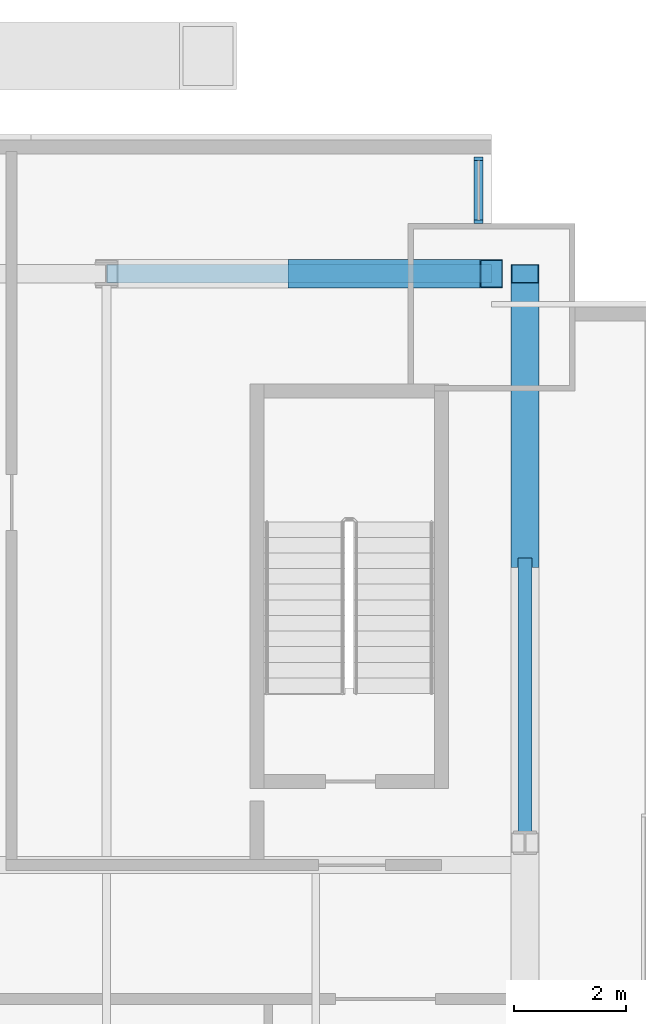
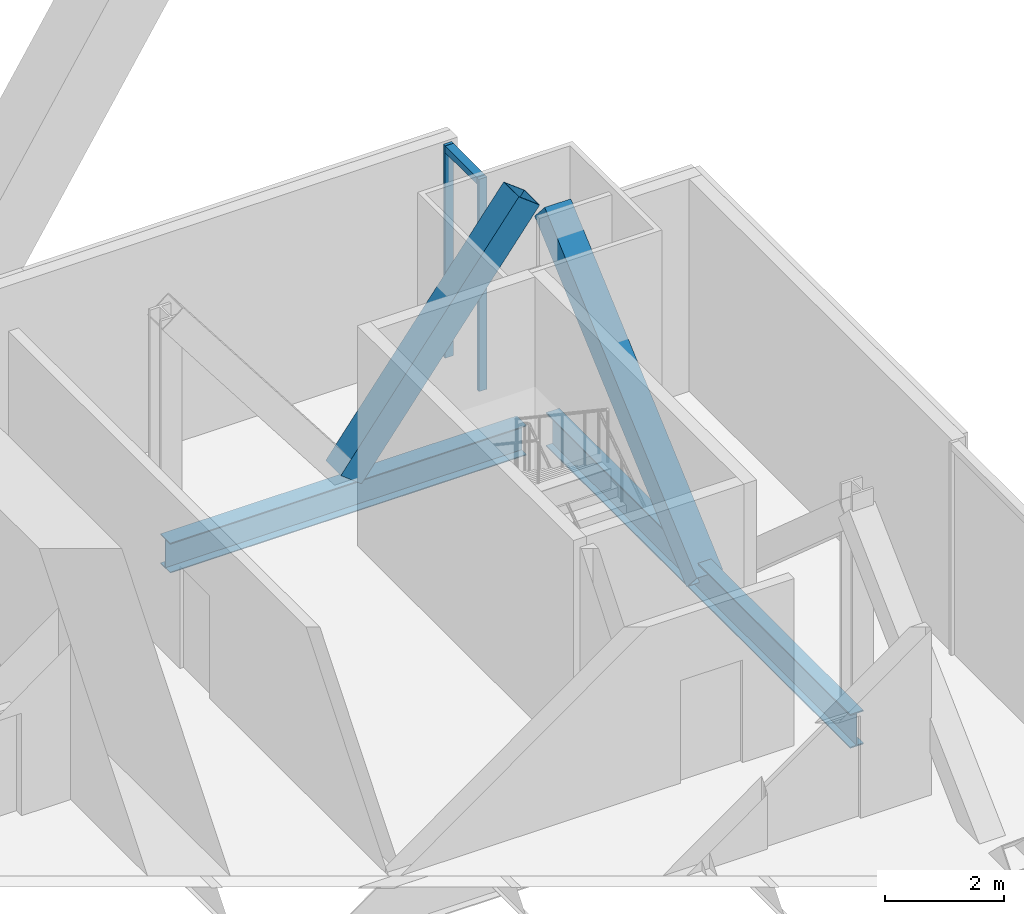
# One storey, part 14 of 22: 5 members, 2 beams, 1 element without a shape of its own.
"""IFC4 building model written with IfcOpenShell, lengths in metres."""

from ifc_helpers import new_model, si_unit, direction, frame, origin, origin_2d, place, context, subcontext, project, spatial, rectangle, hollow_rectangle, i_section, extrude, material, material_profile, profile_set, type_object, element, aggregate, save


model = new_model("IFC4")

# Units and contexts
model_context = context("Model", 3, precision=1e-05, world=origin(), true_north=direction((0.0, 1.0)))
body_context = subcontext(model_context, "Body", "Model", "MODEL_VIEW")
ifc_project = project(units=[si_unit("LENGTHUNIT", "METRE"), si_unit("AREAUNIT", "SQUARE_METRE"), si_unit("VOLUMEUNIT", "CUBIC_METRE"), si_unit("PLANEANGLEUNIT", "RADIAN"), si_unit("MASSUNIT", "GRAM", prefix="KILO")], contexts=[model_context])

# Site, building, storey
site_placement = place(None, origin())
site = spatial("IfcSite", under=ifc_project, at=site_placement, CompositionType="ELEMENT")
building_placement = place(site_placement, origin())
building = spatial("IfcBuilding", under=site, at=building_placement, Name="Bicima Exchange Tower", CompositionType="ELEMENT")
storey_placement = place(building_placement, frame((0.0, 0.0, 71.0)))
storey = spatial("IfcBuildingStorey", under=building, at=storey_placement, Name="L14", CompositionType="ELEMENT", Elevation=71.0)

# Beam
ifc_material_1 = material(Name="Steel ASTM A992 Gr 50", Category="steel")
ifc_material_profile_1 = material_profile(ifc_material_1, i_section(OverallWidth=0.256591796875, OverallDepth=0.693359375, WebThickness=0.014404296875, FlangeThickness=0.023681640625, at=origin_2d()))
ifc_profile_set_1 = profile_set([ifc_material_profile_1], Name="Steel ASTM A992 Gr 50")
beam_type_1 = type_object("IfcBeamType", Name="End girder W27x114", PredefinedType="BEAM", material=ifc_profile_set_1)
beam_1_placement = place(storey_placement, frame((33.60009765625, -2.39990234375, -0.49658203125), z_axis=(0.0, -1.0, 0.0), x_axis=(1.0, 0.0, 0.0)))
element("IfcBeam", 1, at=beam_1_placement, inside=storey, type_object=beam_type_1, Name="End girder", PredefinedType="BEAM", context=body_context, shape_type="SweptSolid", body=[
    extrude(i_section(OverallWidth=0.256591796875, OverallDepth=0.693359375, WebThickness=0.014404296875, FlangeThickness=0.023681640625, at=origin_2d()), origin(), (0.0, 0.0, 1.0), 10.2001953125),
])

# Curtain wall, members
ifc_material_2 = material(Name="Anodised bronze aluminium", Category="aluminium")
curtain_wall_type = type_object("IfcCurtainWallType", Name="Front glass wall", PredefinedType="NOTDEFINED", material=ifc_material_2)
curtain_wall_placement = place(storey_placement, origin())
curtain_wall = element("IfcCurtainWall", 2, at=curtain_wall_placement, inside=storey, type_object=curtain_wall_type, Name="Front glass wall L14 run 20", PredefinedType="NOTDEFINED")
ifc_material_profile_2 = material_profile(ifc_material_2, rectangle(XDim=0.159912109375, YDim=0.06005859375, at=origin_2d()))
ifc_profile_set_2 = profile_set([ifc_material_profile_2], Name="Anodised bronze aluminium")
member_type_1 = type_object("IfcMemberType", Name="Front glass wall mullion 60 x 160", PredefinedType="MULLION", material=ifc_profile_set_2)
member_1_placement = place(storey_placement, frame((32.77001953125, -1.469970703125, 0.0), z_axis=(0.0, 0.0, 1.0), x_axis=(-1.0, 0.0, 0.0)))
member_1 = element("IfcMember", 3, at=member_1_placement, type_object=member_type_1, Name="Front glass wall mullion 1", PredefinedType="MULLION", context=body_context, shape_type="SweptSolid", body=[
    extrude(rectangle(XDim=0.159912109375, YDim=0.06005859375, at=origin_2d()), origin(), (0.0, 0.0, 1.0), 4.35009765625),
])
member_2_placement = place(storey_placement, frame((32.77001953125, -0.340087890625, 0.0), z_axis=(0.0, 0.0, 1.0), x_axis=(-1.0, 0.0, 0.0)))
member_2 = element("IfcMember", 4, at=member_2_placement, type_object=member_type_1, Name="Front glass wall mullion 2", PredefinedType="MULLION", context=body_context, shape_type="SweptSolid", body=[
    extrude(rectangle(XDim=0.159912109375, YDim=0.06005859375, at=origin_2d()), origin(), (0.0, 0.0, 1.0), 4.35009765625),
])
ifc_material_profile_3 = material_profile(ifc_material_2, rectangle(XDim=0.159912109375, YDim=0.139892578125, at=origin_2d()))
ifc_profile_set_3 = profile_set([ifc_material_profile_3], Name="Anodised bronze aluminium")
member_type_2 = type_object("IfcMemberType", Name="Front glass wall transom 140 x 160", PredefinedType="USERDEFINED", material=ifc_profile_set_3)
member_3_placement = place(storey_placement, frame((32.77001953125, -1.43994140625, 4.280029296875), z_axis=(0.0, 1.0, 0.0), x_axis=(-1.0, 0.0, 0.0)))
member_3 = element("IfcMember", 5, at=member_3_placement, type_object=member_type_2, Name="Front glass wall transom 1.1", ObjectType="TRANSOM", PredefinedType="USERDEFINED", context=body_context, shape_type="SweptSolid", body=[
    extrude(rectangle(XDim=0.159912109375, YDim=0.139892578125, at=origin_2d()), origin(), (0.0, 0.0, 1.0), 1.06982421875),
])
aggregate(curtain_wall, [member_1, member_2, member_3])

# Members
ifc_material_3 = material(Name="Steel ASTM A572 Gr 50", Category="steel")
ifc_material_profile_4 = material_profile(ifc_material_3, hollow_rectangle(XDim=0.508056640625, YDim=0.508056640625, WallThickness=0.017822265625, at=origin_2d()))
ifc_profile_set_4 = profile_set([ifc_material_profile_4], Name="Steel ASTM A572 Gr 50")
member_type_3 = type_object("IfcMemberType", Name="Mega brace HSS20x20x3/4", PredefinedType="BRACE", material=ifc_profile_set_4)
member_4_placement = place(storey_placement, frame((29.550048828125, -2.39990234375, 0.0), z_axis=(0.608426120198, 0.0, 0.793610519248), x_axis=(0.0, 1.0, 0.0)))
element("IfcMember", 6, at=member_4_placement, inside=storey, type_object=member_type_3, Name="Mega brace rear", PredefinedType="BRACE", context=body_context, shape_type="SweptSolid", body=[
    extrude(hollow_rectangle(XDim=0.508056640625, YDim=0.508056640625, WallThickness=0.017822265625, at=origin_2d()), origin(), (0.0, 0.0, 1.0), 5.670166015625),
])
member_5_placement = place(storey_placement, frame((33.60009765625, -7.5, -0.49658203125), z_axis=(0.0, 0.749844140428, 0.661614513948), x_axis=(-1.0, 0.0, 0.0)))
element("IfcMember", 7, at=member_5_placement, inside=storey, type_object=member_type_3, Name="Mega brace east end", PredefinedType="BRACE", context=body_context, shape_type="SweptSolid", body=[
    extrude(hollow_rectangle(XDim=0.508056640625, YDim=0.508056640625, WallThickness=0.017822265625, at=origin_2d()), origin(), (0.0, 0.0, 1.0), 6.801513671875),
])

# Beam
ifc_material_profile_5 = material_profile(ifc_material_1, i_section(OverallWidth=0.3251953125, OverallDepth=0.612060546875, WebThickness=0.0126953125, FlangeThickness=0.01904296875, at=origin_2d()))
ifc_profile_set_5 = profile_set([ifc_material_profile_5], Name="Steel ASTM A992 Gr 50")
beam_type_2 = type_object("IfcBeamType", Name="Rear girder W24x104", PredefinedType="BEAM", material=ifc_profile_set_5)
beam_2_placement = place(storey_placement, frame((26.10009765625, -2.39990234375, -0.4560546875), z_axis=(1.0, 0.0, 0.0), x_axis=(0.0, 1.0, 0.0)))
element("IfcBeam", 8, at=beam_2_placement, inside=storey, type_object=beam_type_2, Name="Rear girder", PredefinedType="BEAM", context=body_context, shape_type="SweptSolid", body=[
    extrude(i_section(OverallWidth=0.3251953125, OverallDepth=0.612060546875, WebThickness=0.0126953125, FlangeThickness=0.01904296875, at=origin_2d()), origin(), (0.0, 0.0, 1.0), 6.89990234375),
])

save(model, "model.ifc")
